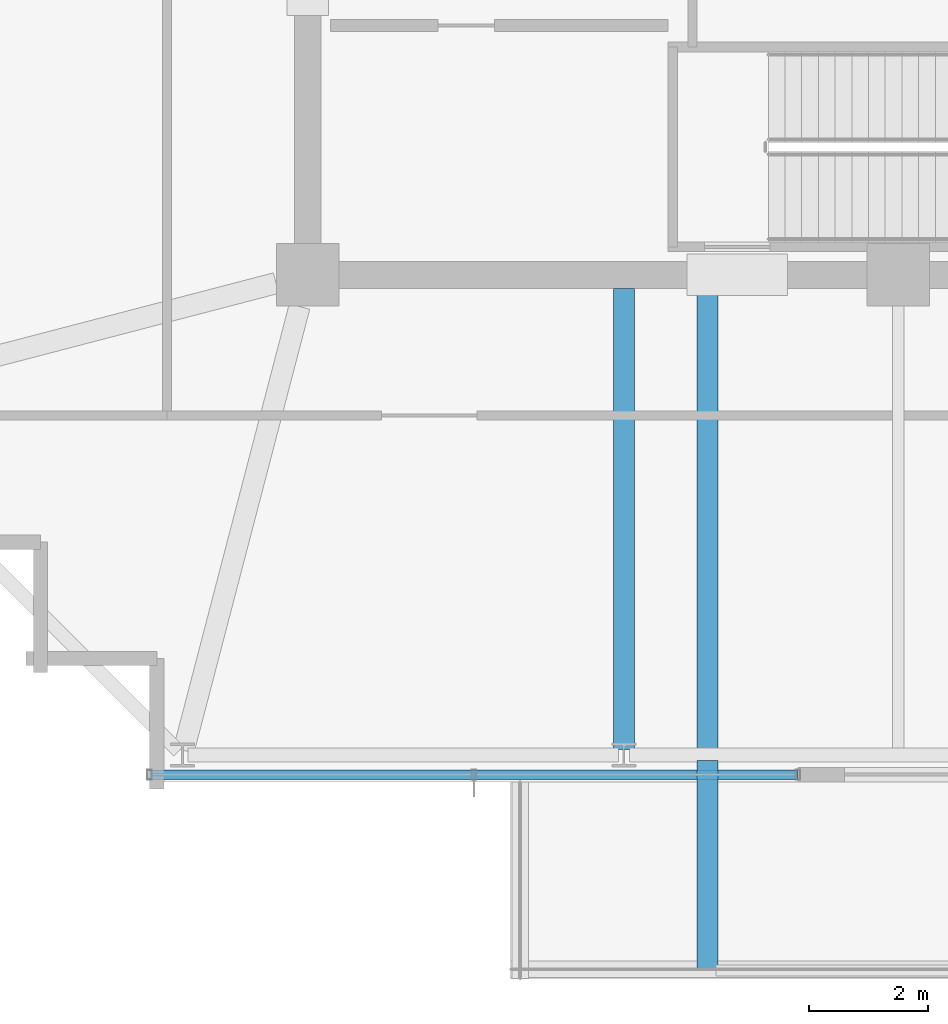
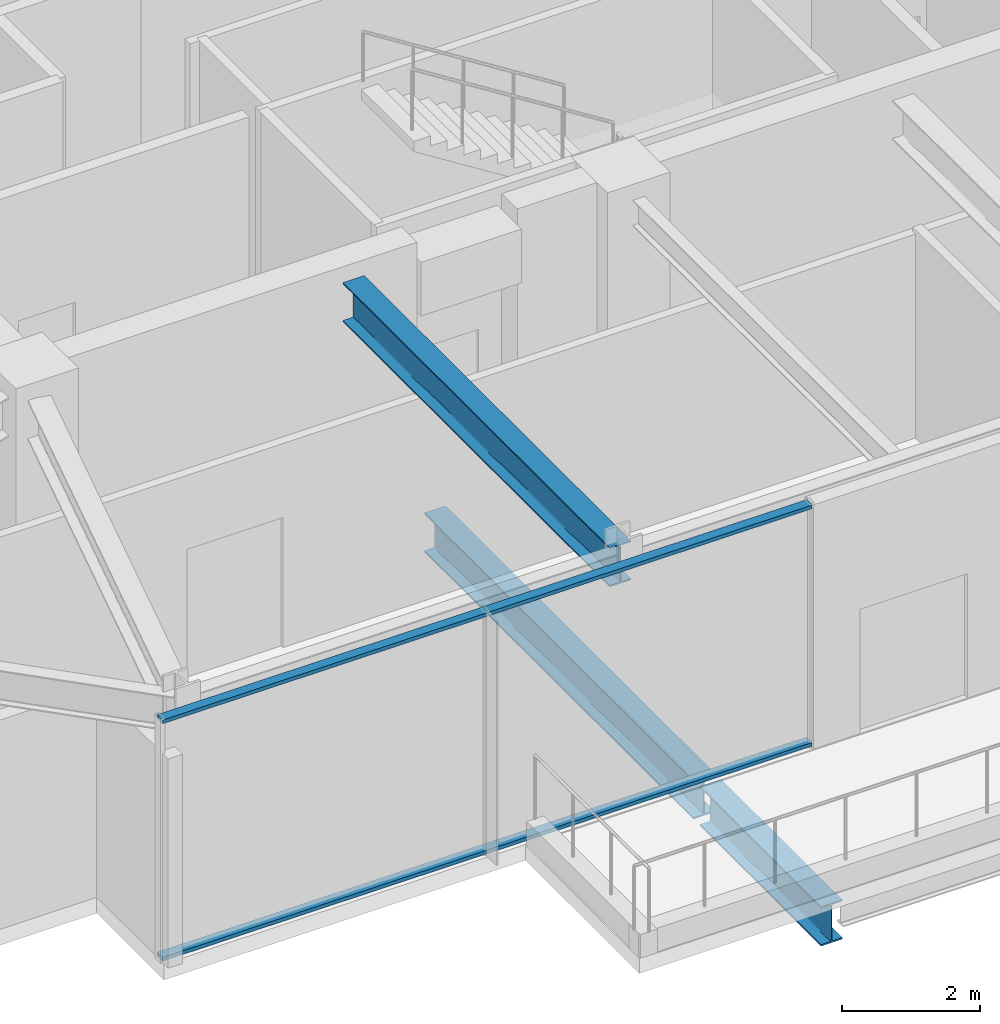
# One storey, part 3 of 30: 3 beams, 2 members, 1 element without a shape of its own.
"""IFC4 building model written with IfcOpenShell, lengths in metres."""

from ifc_helpers import new_model, si_unit, direction, frame, origin, origin_2d, place, context, subcontext, project, spatial, hollow_rectangle, i_section, extrude, material, material_profile, profile_set, type_object, element, aggregate, save


model = new_model("IFC4")

# Units and contexts
model_context = context("Model", 3, precision=1e-05, world=origin(), true_north=direction((0.0, 1.0)))
body_context = subcontext(model_context, "Body", "Model", "MODEL_VIEW")
ifc_project = project(units=[si_unit("LENGTHUNIT", "METRE"), si_unit("AREAUNIT", "SQUARE_METRE"), si_unit("VOLUMEUNIT", "CUBIC_METRE"), si_unit("PLANEANGLEUNIT", "RADIAN"), si_unit("MASSUNIT", "GRAM", prefix="KILO")], contexts=[model_context])

# Site, building, storey
site_placement = place(None, origin())
site = spatial("IfcSite", under=ifc_project, at=site_placement, CompositionType="ELEMENT")
building_placement = place(site_placement, origin())
building = spatial("IfcBuilding", under=site, at=building_placement, Name="Kolvaren Belvedere", CompositionType="ELEMENT")
storey_placement = place(building_placement, frame((0.0, 0.0, 262.800048828125)))
storey = spatial("IfcBuildingStorey", under=building, at=storey_placement, Name="L76", CompositionType="ELEMENT", Elevation=262.800048828125)

# Beams
ifc_material_1 = material(Name="Structural steel ASTM A992 Grade 50", Category="steel")
ifc_material_profile_1 = material_profile(ifc_material_1, i_section(OverallWidth=0.35498046875, OverallDepth=0.696044921875, WebThickness=0.015380859375, FlangeThickness=0.02490234375, FilletRadius=0.02197265625, at=origin_2d()), Name="W27X146")
ifc_profile_set_1 = profile_set([ifc_material_profile_1], Name="Structural steel ASTM A992 Grade 50")
beam_type_1 = type_object("IfcBeamType", Name="BM-CANT-BAL", PredefinedType="BEAM", material=ifc_profile_set_1)
beam_1_placement = place(storey_placement, frame((-3.199951171875, -18.044921875, -0.6279296875), z_axis=(0.0, -1.0, 0.0), x_axis=(1.0, 0.0, 0.0)))
element("IfcBeam", 1, at=beam_1_placement, inside=storey, type_object=beam_type_1, Name="L76 Planted Balcony Cantilever SKYBAR-S-1", PredefinedType="BEAM", context=body_context, shape_type="SweptSolid", body=[
    extrude(i_section(OverallWidth=0.35498046875, OverallDepth=0.696044921875, WebThickness=0.015380859375, FlangeThickness=0.02490234375, FilletRadius=0.02197265625, at=origin_2d()), origin(), (0.0, 0.0, 1.0), 3.51513671875),
])
ifc_material_2 = material(Name="Structural steel ASTM A992 Grade 50", Category="steel")
ifc_material_profile_2 = material_profile(ifc_material_2, i_section(OverallWidth=0.35498046875, OverallDepth=0.696044921875, WebThickness=0.015380859375, FlangeThickness=0.02490234375, FilletRadius=0.02197265625, at=origin_2d()), Name="W27X146")
ifc_profile_set_2 = profile_set([ifc_material_profile_2], Name="Structural steel ASTM A992 Grade 50")
beam_type_2 = type_object("IfcBeamType", Name="BM-GIRD-W27X146", PredefinedType="BEAM", material=ifc_profile_set_2)
beam_2_placement = place(storey_placement, frame((-3.199951171875, -10.06494140625, -0.6279296875), z_axis=(0.0, -1.0, 0.0), x_axis=(1.0, 0.0, 0.0)))
element("IfcBeam", 2, at=beam_2_placement, inside=storey, type_object=beam_type_2, Name="L76 Balcony Interior Back-Span Girder SKYBAR-S-1", PredefinedType="BEAM", context=body_context, shape_type="SweptSolid", body=[
    extrude(i_section(OverallWidth=0.35498046875, OverallDepth=0.696044921875, WebThickness=0.015380859375, FlangeThickness=0.02490234375, FilletRadius=0.02197265625, at=origin_2d()), origin(), (0.0, 0.0, 1.0), 7.7900390625),
])
beam_3_placement = place(storey_placement, frame((-4.60009765625, -10.125, 3.971923828125), z_axis=(0.0, -1.0, 0.0), x_axis=(1.0, 0.0, 0.0)))
element("IfcBeam", 3, at=beam_3_placement, inside=storey, type_object=beam_type_2, Name="L76 South Radial Girder M", PredefinedType="BEAM", context=body_context, shape_type="SweptSolid", body=[
    extrude(i_section(OverallWidth=0.35498046875, OverallDepth=0.696044921875, WebThickness=0.015380859375, FlangeThickness=0.02490234375, FilletRadius=0.02197265625, at=origin_2d()), origin(), (0.0, 0.0, 1.0), 7.7333984375),
])

# Curtain wall, members
ifc_material_3 = material(Name="Anodised pale-metal aluminium AA 6063-T6", Category="aluminium")
curtain_wall_type = type_object("IfcCurtainWallType", Name="CW-CRN-OBS", PredefinedType="NOTDEFINED", material=ifc_material_3)
curtain_wall_placement = place(storey_placement, origin())
curtain_wall = element("IfcCurtainWall", 4, at=curtain_wall_placement, inside=storey, type_object=curtain_wall_type, Name="L76 Unitised Curtain Wall FCW-L76-S2", PredefinedType="NOTDEFINED")
ifc_material_4 = material(Name="Anodised pale-metal aluminium AA 6063-T6", Category="aluminium")
ifc_material_profile_3 = material_profile(ifc_material_4, hollow_rectangle(XDim=0.06494140625, YDim=0.159912109375, WallThickness=0.00390625, at=origin_2d()), Name="ALU-TRN-160X65")
ifc_profile_set_3 = profile_set([ifc_material_profile_3], Name="Anodised pale-metal aluminium AA 6063-T6")
member_type = type_object("IfcMemberType", Name="CW-TRN-160", PredefinedType="USERDEFINED", material=ifc_profile_set_3)
member_1_placement = place(storey_placement, frame((-1.679931640625, -18.280029296875, 0.06005859375), z_axis=(-1.0, 0.0, 0.0), x_axis=(0.0, 0.0, 1.0)))
member_1 = element("IfcMember", 5, at=member_1_placement, type_object=member_type, Name="FCW-L76-S2 Sill Transom", ObjectType="TRANSOM", PredefinedType="USERDEFINED", context=body_context, shape_type="SweptSolid", body=[
    extrude(hollow_rectangle(XDim=0.06494140625, YDim=0.159912109375, WallThickness=0.00390625, at=origin_2d()), origin(), (0.0, 0.0, 1.0), 10.8701171875),
])
member_2_placement = place(storey_placement, frame((-1.679931640625, -18.280029296875, 4.260009765625), z_axis=(-1.0, 0.0, 0.0), x_axis=(0.0, 0.0, 1.0)))
member_2 = element("IfcMember", 6, at=member_2_placement, type_object=member_type, Name="FCW-L76-S2 Head Transom", ObjectType="TRANSOM", PredefinedType="USERDEFINED", context=body_context, shape_type="SweptSolid", body=[
    extrude(hollow_rectangle(XDim=0.06494140625, YDim=0.159912109375, WallThickness=0.00390625, at=origin_2d()), origin(), (0.0, 0.0, 1.0), 10.8701171875),
])
aggregate(curtain_wall, [member_1, member_2])

save(model, "model.ifc")
